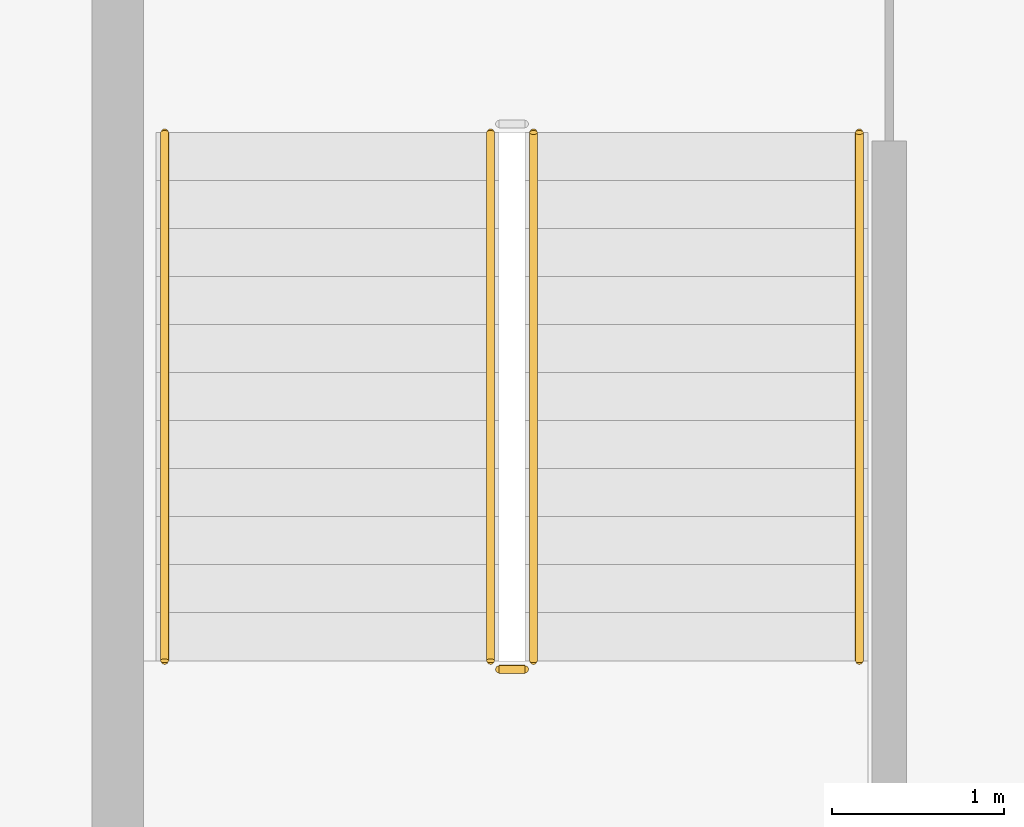
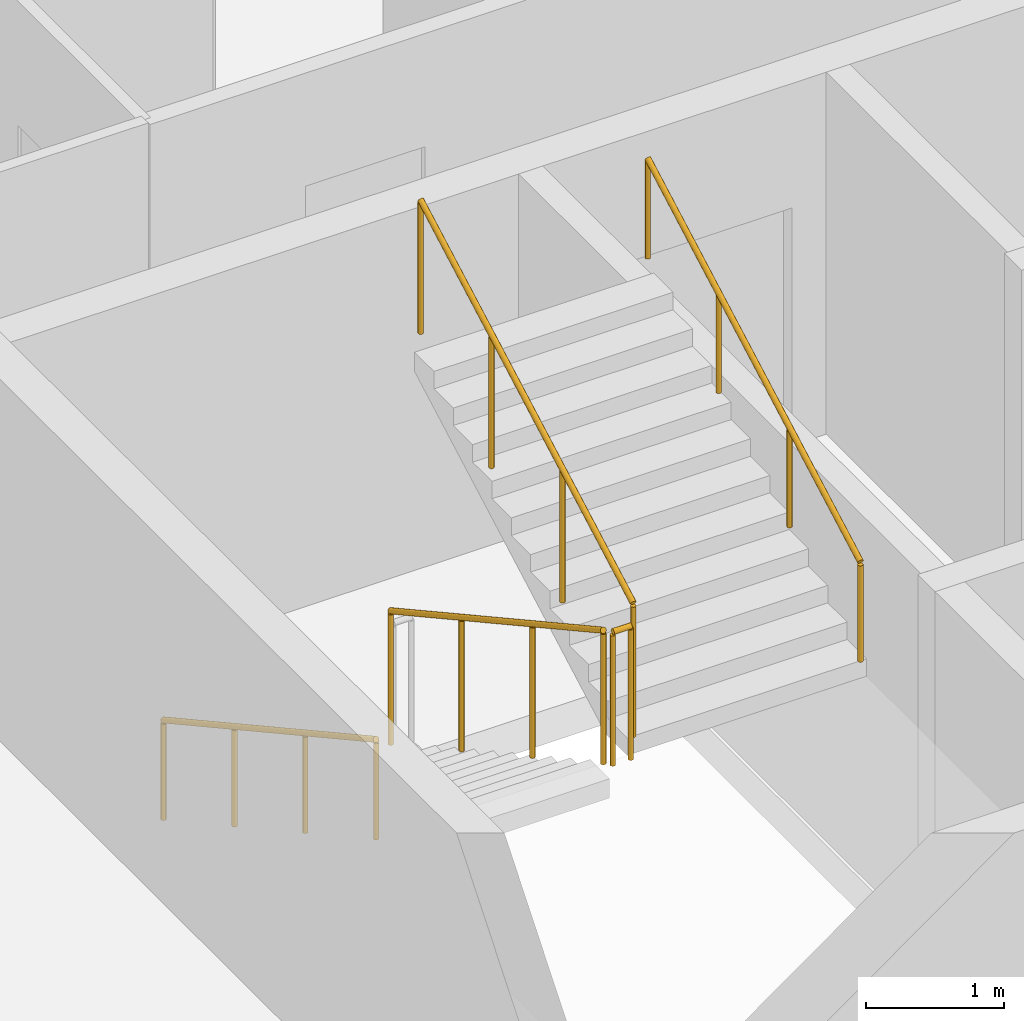
# One storey, part 9 of 11: 5 railings.
"""IFC4 building model written with IfcOpenShell, lengths in metres."""

from ifc_helpers import new_model, si_unit, direction, frame, origin, origin_2d, place, context, subcontext, project, spatial, circle, extrude, material, type_object, element, save


model = new_model("IFC4")

# Units and contexts
model_context = context("Model", 3, precision=1e-05, world=origin(), true_north=direction((0.0, 1.0)))
body_context = subcontext(model_context, "Body", "Model", "MODEL_VIEW")
ifc_project = project(units=[si_unit("LENGTHUNIT", "METRE"), si_unit("AREAUNIT", "SQUARE_METRE"), si_unit("VOLUMEUNIT", "CUBIC_METRE"), si_unit("PLANEANGLEUNIT", "RADIAN"), si_unit("MASSUNIT", "GRAM", prefix="KILO")], contexts=[model_context])

# Site, building, storey
site_placement = place(None, origin())
site = spatial("IfcSite", under=ifc_project, at=site_placement, CompositionType="ELEMENT")
building_placement = place(site_placement, origin())
building = spatial("IfcBuilding", under=site, at=building_placement, Name="Caravel Reach Hotel and Residences", CompositionType="ELEMENT")
storey_placement = place(building_placement, frame((0.0, 0.0, 301.89990234375)))
storey = spatial("IfcBuildingStorey", under=building, at=storey_placement, Name="L77", CompositionType="ELEMENT", Elevation=301.89990234375)

# Railings
ifc_material_1 = material(Name="Steel balustrade with glass infill", Category="steel")
railing_type_1 = type_object("IfcRailingType", Name="Guard 1200", PredefinedType="GUARDRAIL", material=ifc_material_1)
railing_1_placement = place(storey_placement, frame((20.175048828125, 29.35009765625, 0.154296875)))
element("IfcRailing", 1, at=railing_1_placement, inside=storey, type_object=railing_type_1, Name="L77 ST-A stair guard 1", PredefinedType="GUARDRAIL", context=body_context, shape_type="SweptSolid", body=[
    extrude(circle(Radius=0.02392578125, at=origin_2d()), frame((0.0, 0.0, 1.17578125), z_axis=(0.0, -0.876004717809, 0.482302534076), x_axis=(1.0, 0.0, 0.0)), (0.0, 0.0, 1.0), 3.51611328125),
    extrude(circle(Radius=0.02099609375, at=origin_2d()), origin(), (0.0, 0.0, 1.0), 1.15185546875),
    extrude(circle(Radius=0.02099609375, at=origin_2d()), frame((0.0, -1.026611328125, 0.565185546875)), (0.0, 0.0, 1.0), 1.15185546875),
    extrude(circle(Radius=0.02099609375, at=origin_2d()), frame((0.0, -2.053466796875, 1.130615234375)), (0.0, 0.0, 1.0), 1.15185546875),
    extrude(circle(Radius=0.02099609375, at=origin_2d()), frame((0.0, -3.080078125, 1.69580078125)), (0.0, 0.0, 1.0), 1.15185546875),
])
railing_2_placement = place(storey_placement, frame((20.22509765625, 26.219970703125, 1.85009765625)))
element("IfcRailing", 2, at=railing_2_placement, inside=storey, type_object=railing_type_1, Name="L77 ST-A stair guard 2", PredefinedType="GUARDRAIL", context=body_context, shape_type="SweptSolid", body=[
    extrude(circle(Radius=0.02392578125, at=origin_2d()), frame((0.0, 0.0, 1.17578125), z_axis=(1.0, 0.0, 0.0), x_axis=(0.0, 1.0, 0.0)), (0.0, 0.0, 1.0), 0.14990234375),
    extrude(circle(Radius=0.02099609375, at=origin_2d()), origin(), (0.0, 0.0, 1.0), 1.15185546875),
    extrude(circle(Radius=0.02099609375, at=origin_2d()), frame((0.14990234375, 0.0, 0.0)), (0.0, 0.0, 1.0), 1.15185546875),
])
railing_3_placement = place(storey_placement, frame((20.425048828125, 26.27001953125, 2.004150390625)))
element("IfcRailing", 3, at=railing_3_placement, inside=storey, type_object=railing_type_1, Name="L77 ST-A stair guard 3", PredefinedType="GUARDRAIL", context=body_context, shape_type="SweptSolid", body=[
    extrude(circle(Radius=0.02392578125, at=origin_2d()), frame((0.0, 0.0, 1.17578125), z_axis=(0.0, 0.875975380505, 0.482355815502), x_axis=(-1.0, 0.0, 0.0)), (0.0, 0.0, 1.0), 3.51611328125),
    extrude(circle(Radius=0.02099609375, at=origin_2d()), origin(), (0.0, 0.0, 1.0), 1.15185546875),
    extrude(circle(Radius=0.02099609375, at=origin_2d()), frame((0.0, 1.026611328125, 0.5654296875)), (0.0, 0.0, 1.0), 1.15185546875),
    extrude(circle(Radius=0.02099609375, at=origin_2d()), frame((0.0, 2.053466796875, 1.130615234375)), (0.0, 0.0, 1.0), 1.15185546875),
    extrude(circle(Radius=0.02099609375, at=origin_2d()), frame((0.0, 3.080078125, 1.696044921875)), (0.0, 0.0, 1.0), 1.15185546875),
])
ifc_material_2 = material(Name="Stainless steel handrail", Category="steel")
railing_type_2 = type_object("IfcRailingType", Name="Handrail 900", PredefinedType="HANDRAIL", material=ifc_material_2)
railing_4_placement = place(storey_placement, frame((18.27490234375, 29.35009765625, 0.154296875)))
element("IfcRailing", 4, at=railing_4_placement, inside=storey, type_object=railing_type_2, Name="L77 ST-A stair handrail 1", PredefinedType="HANDRAIL", context=body_context, shape_type="SweptSolid", body=[
    extrude(circle(Radius=0.02392578125, at=origin_2d()), frame((0.0, 0.0, 0.8759765625), z_axis=(0.0, -0.876004717809, 0.482302534076), x_axis=(1.0, 0.0, 0.0)), (0.0, 0.0, 1.0), 3.51611328125),
    extrude(circle(Radius=0.02099609375, at=origin_2d()), origin(), (0.0, 0.0, 1.0), 0.851806640625),
    extrude(circle(Radius=0.02099609375, at=origin_2d()), frame((0.0, -1.026611328125, 0.565185546875)), (0.0, 0.0, 1.0), 0.851806640625),
    extrude(circle(Radius=0.02099609375, at=origin_2d()), frame((0.0, -2.053466796875, 1.130615234375)), (0.0, 0.0, 1.0), 0.851806640625),
    extrude(circle(Radius=0.02099609375, at=origin_2d()), frame((0.0, -3.080078125, 1.69580078125)), (0.0, 0.0, 1.0), 0.851806640625),
])
railing_5_placement = place(storey_placement, frame((22.324951171875, 26.27001953125, 2.004150390625)))
element("IfcRailing", 5, at=railing_5_placement, inside=storey, type_object=railing_type_2, Name="L77 ST-A stair handrail 2", PredefinedType="HANDRAIL", context=body_context, shape_type="SweptSolid", body=[
    extrude(circle(Radius=0.02392578125, at=origin_2d()), frame((0.0, 0.0, 0.8759765625), z_axis=(0.0, 0.875975380505, 0.482355815502), x_axis=(-1.0, 0.0, 0.0)), (0.0, 0.0, 1.0), 3.51611328125),
    extrude(circle(Radius=0.02099609375, at=origin_2d()), origin(), (0.0, 0.0, 1.0), 0.851806640625),
    extrude(circle(Radius=0.02099609375, at=origin_2d()), frame((0.0, 1.026611328125, 0.5654296875)), (0.0, 0.0, 1.0), 0.851806640625),
    extrude(circle(Radius=0.02099609375, at=origin_2d()), frame((0.0, 2.053466796875, 1.130615234375)), (0.0, 0.0, 1.0), 0.851806640625),
    extrude(circle(Radius=0.02099609375, at=origin_2d()), frame((0.0, 3.080078125, 1.696044921875)), (0.0, 0.0, 1.0), 0.851806640625),
])

save(model, "model.ifc")
